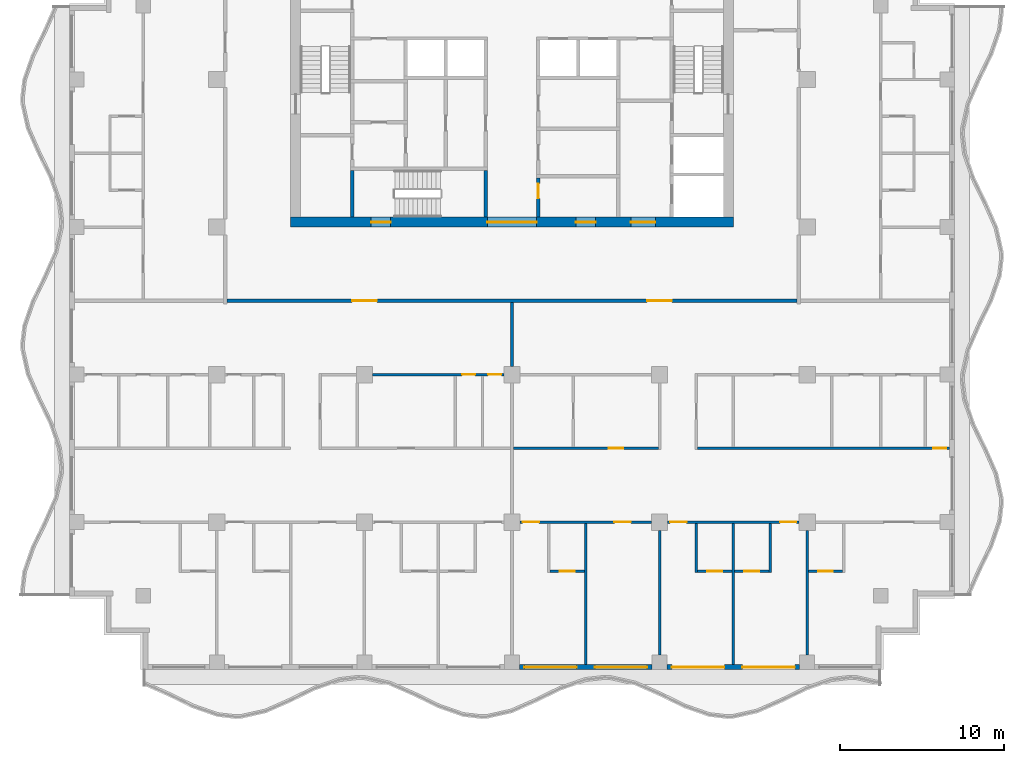
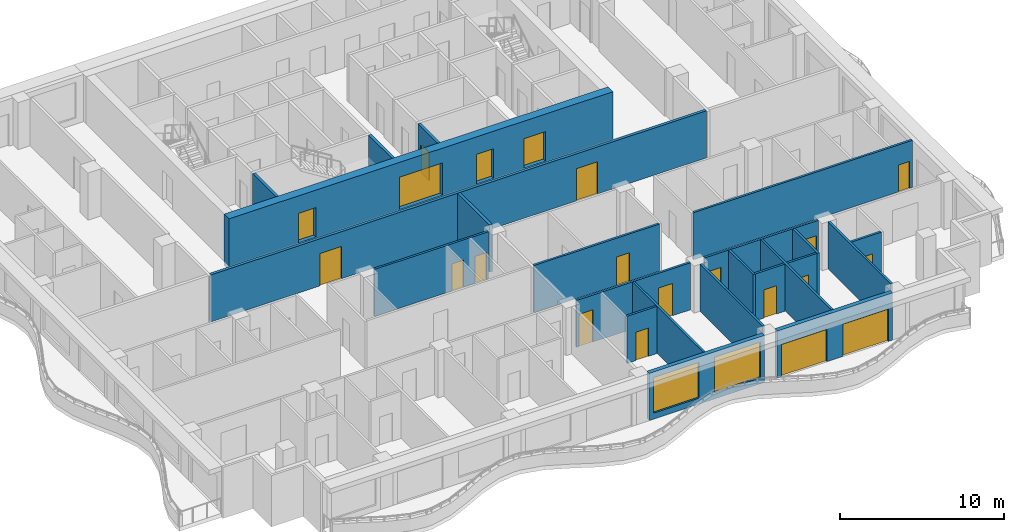
# One storey, part 3 of 11: 23 walls, 21 doors, 2 windows, 23 openings.
"""IFC4 building model written with IfcOpenShell, lengths in metres."""

import ifcopenshell
import ifcopenshell.guid

model = None  # the IFC model being written
_history = None  # IfcOwnerHistory: only IFC2X3 demands one
_inside = {}  # id of a spatial element -> (the spatial element, [elements in it])
_under = {}  # id of a project, library or spatial element -> (it, [spatial elements below it])
_declared = {}  # id of a project -> (the project, [libraries it declares])
_typed = {}  # id of a type object -> (the type object, [elements of that type])
_made_of = {}  # id of a material, layer set ... -> (it, [elements and type objects made of it])


def new_model(schema):
    """Start an empty IFC model of exactly this schema.

    Asked for "IFC4X3", IfcOpenShell would pick the latest addendum, in which some entities
    have other attributes; the version numbers below select the first issue.
    IFC2X3 requires an IfcOwnerHistory on every rooted entity: one is made here for all.
    """
    global model, _history
    if schema == "IFC4X3":
        model = ifcopenshell.file(schema_version=(4, 3, 0, 0))
    else:
        model = ifcopenshell.file(schema=schema)
    _inside.clear()
    _under.clear()
    _declared.clear()
    _typed.clear()
    _made_of.clear()
    _history = None
    if model.schema == "IFC2X3":
        org = make("IfcOrganization", Name="unknown")
        user = make(
            "IfcPersonAndOrganization",
            ThePerson=make("IfcPerson", FamilyName="unknown"),
            TheOrganization=org,
        )
        app = make(
            "IfcApplication",
            ApplicationDeveloper=org,
            Version="unknown",
            ApplicationFullName="unknown",
            ApplicationIdentifier="unknown",
        )
        _history = make(
            "IfcOwnerHistory",
            OwningUser=user,
            OwningApplication=app,
            ChangeAction="ADDED",
            CreationDate=0,
        )
    return model


def make(cls, **values):
    """One entity of the class cls with the attributes given. An attribute that is None is left unset."""
    return model.create_entity(
        cls, **{name: value for name, value in values.items() if value is not None}
    )


def rooted(cls, **values):
    """An entity with a GlobalId (a new one), such as an element, a storey or a relation."""
    return make(cls, GlobalId=ifcopenshell.guid.new(), OwnerHistory=_history, **values)


def si_unit(unit_type, name, prefix=None):
    """IfcSIUnit, for example si_unit("LENGTHUNIT", "METRE", prefix="MILLI")."""
    return make("IfcSIUnit", UnitType=unit_type, Prefix=prefix, Name=name)


def assignment(units):
    """IfcUnitAssignment: the units of a project."""
    return None if units is None else make("IfcUnitAssignment", Units=units)


def point(xyz):
    """IfcCartesianPoint."""
    return None if xyz is None else make("IfcCartesianPoint", Coordinates=xyz)


def direction(xyz):
    """IfcDirection."""
    return None if xyz is None else make("IfcDirection", DirectionRatios=xyz)


def frame(location, z_axis=None, x_axis=None):
    """IfcAxis2Placement3D, a coordinate frame: its origin and axes. An axis left out is left unset."""
    return make(
        "IfcAxis2Placement3D",
        Location=point(location),
        Axis=direction(z_axis),
        RefDirection=direction(x_axis),
    )


def frame_2d(location, x_axis=None):
    """IfcAxis2Placement2D, a coordinate frame in the plane: its origin and x axis."""
    return make(
        "IfcAxis2Placement2D", Location=point(location), RefDirection=direction(x_axis)
    )


def origin():
    """The frame at (0, 0, 0) with its axes left unset."""
    return frame((0.0, 0.0, 0.0))


def place(relative_to, where):
    """IfcLocalPlacement: puts the frame where relative to a parent placement (None: the world)."""
    return make(
        "IfcLocalPlacement", PlacementRelTo=relative_to, RelativePlacement=where
    )


def context(
    kind, dimensions, precision=None, world=None, true_north=None, identifier=None
):
    """IfcGeometricRepresentationContext, for example the 3D "Model" context."""
    return make(
        "IfcGeometricRepresentationContext",
        ContextIdentifier=identifier,
        ContextType=kind,
        CoordinateSpaceDimension=dimensions,
        Precision=precision,
        WorldCoordinateSystem=world,
        TrueNorth=true_north,
    )


def subcontext(parent, identifier, kind, view, scale=None):
    """IfcGeometricRepresentationSubContext, for example "Body" below "Model"."""
    return make(
        "IfcGeometricRepresentationSubContext",
        ContextIdentifier=identifier,
        ContextType=kind,
        ParentContext=parent,
        TargetScale=scale,
        TargetView=view,
    )


def project(units=None, contexts=None):
    """IfcProject with its units and contexts."""
    return rooted(
        "IfcProject",
        Name="project",
        RepresentationContexts=contexts,
        UnitsInContext=assignment(units),
    )


def spatial(cls, under=None, at=None, **own):
    """A site, building, storey or space (cls), placed at a placement, below another one or the project."""
    s = rooted(cls, ObjectPlacement=at, **own)
    if under is not None:
        _under.setdefault(under.id(), (under, []))[1].append(s)
    return s


def profile(cls, at=None, kind="AREA", **sizes):
    """A parametric profile (cls). Its sizes go by their IFC names, for example OverallWidth=200.0."""
    return make(cls, ProfileType=kind, Position=at, **sizes)


def rectangle(**sizes):
    """IfcRectangleProfileDef."""
    return profile("IfcRectangleProfileDef", **sizes)


def extrude(swept, where, along, depth):
    """IfcExtrudedAreaSolid: the profile swept, set in the frame where, extruded along a direction by depth."""
    return make(
        "IfcExtrudedAreaSolid",
        SweptArea=swept,
        Position=where,
        ExtrudedDirection=direction(along),
        Depth=depth,
    )


def shape(context_of_items, identifier, shape_type, items):
    """IfcShapeRepresentation: the items that make up one representation, for example the "Body"."""
    return make(
        "IfcShapeRepresentation",
        ContextOfItems=context_of_items,
        RepresentationIdentifier=identifier,
        RepresentationType=shape_type,
        Items=items,
    )


def material(Name=None, Category=None):
    """IfcMaterial."""
    return make("IfcMaterial", Name=Name, Category=Category)


def layer(
    of_material, thickness, ventilated=None, Name=None, Category=None, Priority=None
):
    """IfcMaterialLayer: one layer of a wall or slab, of a material (None: an air gap)."""
    return make(
        "IfcMaterialLayer",
        Material=of_material,
        LayerThickness=thickness,
        IsVentilated=ventilated,
        Name=Name,
        Category=Category,
        Priority=Priority,
    )


def layer_set(layers, Name=None):
    """IfcMaterialLayerSet."""
    return make("IfcMaterialLayerSet", MaterialLayers=layers, LayerSetName=Name)


def made_of(thing, what):
    """Note that an element or type object is made of a material, layer set ...; save() writes the relation."""
    if what is not None:
        _made_of.setdefault(what.id(), (what, []))[1].append(thing)
    return thing


def type_object(cls, material=None, **own):
    """A type object (cls), such as IfcWallType, which elements share."""
    return made_of(rooted(cls, **own), material)


def element(
    cls,
    number,
    at=None,
    inside=None,
    cuts=None,
    type_object=None,
    material=None,
    context=None,
    identifier="Body",
    shape_type=None,
    held_by="IfcProductDefinitionShape",
    body=None,
    shapes=None,
    **own,
):
    """One element of the class cls, such as IfcWall. Its Tag is "e" and its number.

    at: its placement. inside: the storey or other place that contains it. cuts: it is an
    opening in that element (IfcRelVoidsElement). A single representation is given by context,
    identifier, shape_type and body (its items); several are given by shapes. held_by: the class
    of the entity that holds the representations. save() writes the other relations.
    """
    e = rooted(cls, Tag="e%d" % number, ObjectPlacement=at, **own)
    if body is not None:
        shapes = [shape(context, identifier, shape_type, body)]
    if shapes is not None:
        e.Representation = make(held_by, Representations=shapes)
    if inside is not None:
        _inside.setdefault(inside.id(), (inside, []))[1].append(e)
    if cuts is not None:
        rooted(
            "IfcRelVoidsElement", RelatingBuildingElement=cuts, RelatedOpeningElement=e
        )
    if type_object is not None:
        _typed.setdefault(type_object.id(), (type_object, []))[1].append(e)
    return made_of(e, material)


def fill(opening, filler):
    """IfcRelFillsElement: the door or window that sits in an opening."""
    return rooted(
        "IfcRelFillsElement",
        RelatingOpeningElement=opening,
        RelatedBuildingElement=filler,
    )


def aggregate(whole, parts):
    """IfcRelAggregates: a whole, such as a stair, and the parts it consists of."""
    return rooted("IfcRelAggregates", RelatingObject=whole, RelatedObjects=parts)


def save(model, path):
    """Write the relations noted so far, then the file.

    IfcRelAggregates (storeys below a building ...), IfcRelContainedInSpatialStructure (elements
    in a storey), IfcRelDefinesByType, IfcRelAssociatesMaterial and IfcRelDeclares: one each for
    every whole, place, type object, material and project.
    """
    for whole, parts in _under.values():
        aggregate(whole, parts)
    for where, things in _inside.values():
        rooted(
            "IfcRelContainedInSpatialStructure",
            RelatedElements=things,
            RelatingStructure=where,
        )
    for kind, things in _typed.values():
        rooted("IfcRelDefinesByType", RelatedObjects=things, RelatingType=kind)
    for what, things in _made_of.values():
        rooted("IfcRelAssociatesMaterial", RelatedObjects=things, RelatingMaterial=what)
    for by, libraries in _declared.values():
        rooted("IfcRelDeclares", RelatingContext=by, RelatedDefinitions=libraries)
    model.write(path)


model = new_model("IFC4")

# Units and contexts
model_context = context("Model", 3, precision=1e-05, world=origin(), true_north=direction((0.0, 1.0)))
body_context = subcontext(model_context, "Body", "Model", "MODEL_VIEW")
ifc_project = project(units=[si_unit("LENGTHUNIT", "METRE"), si_unit("AREAUNIT", "SQUARE_METRE"), si_unit("VOLUMEUNIT", "CUBIC_METRE"), si_unit("PLANEANGLEUNIT", "RADIAN"), si_unit("MASSUNIT", "GRAM", prefix="KILO")], contexts=[model_context])

# Site, building, storey
site_placement = place(None, origin())
site = spatial("IfcSite", under=ifc_project, at=site_placement, CompositionType="ELEMENT")
building_placement = place(site_placement, origin())
building = spatial("IfcBuilding", under=site, at=building_placement, Name="Orbiselva Terraces", CompositionType="ELEMENT")
storey_placement = place(building_placement, frame((0.0, 0.0, 238.8)))
storey = spatial("IfcBuildingStorey", under=building, at=storey_placement, Name="L60", CompositionType="ELEMENT", Elevation=238.8)

# Wall, openings, doors
ifc_material_1 = material(Name="Concrete C80/95", Category="concrete")
ifc_layer_1 = layer(ifc_material_1, 0.6)
ifc_layer_set_1 = layer_set([ifc_layer_1], Name="Concrete C80/95")
wall_type_1 = type_object("IfcWallType", Name="CORE WALL 600", PredefinedType="SHEAR", material=ifc_layer_set_1)
wall_1_placement = place(storey_placement, frame((-13.5, 4.8, -0.3), z_axis=(0.0, 0.0, 1.0), x_axis=(1.0, 0.0, 0.0)))
wall_1 = element("IfcWall", 1, at=wall_1_placement, inside=storey, type_object=wall_type_1, Name="Core wall L60 south", PredefinedType="SHEAR", context=body_context, shape_type="SweptSolid", body=[
    extrude(rectangle(XDim=27.0, YDim=0.6, at=frame_2d((13.5, 0.0))), origin(), (0.0, 0.0, 1.0), 3.8),
])
opening_1_placement = place(wall_1_placement, frame((12.0, 0.0, 0.3)))
opening_1 = element("IfcOpeningElement", 2, at=opening_1_placement, cuts=wall_1, Name="Opening DL3000", PredefinedType="OPENING", context=body_context, shape_type="SweptSolid", body=[
    extrude(rectangle(XDim=3.0, YDim=2.4, at=frame_2d((1.5, 1.2))), frame((0.0, 0.31, 0.0), z_axis=(0.0, -1.0, 0.0), x_axis=(1.0, 0.0, 0.0)), (0.0, 0.0, 1.0), 0.62),
])
opening_2_placement = place(wall_1_placement, frame((4.9, 0.0, 0.3)))
opening_2 = element("IfcOpeningElement", 3, at=opening_2_placement, cuts=wall_1, Name="Opening DS1200", PredefinedType="OPENING", context=body_context, shape_type="SweptSolid", body=[
    extrude(rectangle(XDim=1.2, YDim=2.2, at=frame_2d((0.6, 1.1))), frame((0.0, 0.31, 0.0), z_axis=(0.0, -1.0, 0.0), x_axis=(1.0, 0.0, 0.0)), (0.0, 0.0, 1.0), 0.62),
])
opening_3_placement = place(wall_1_placement, frame((20.75, 0.0, 0.3)))
opening_3 = element("IfcOpeningElement", 4, at=opening_3_placement, cuts=wall_1, Name="Opening DF1500", PredefinedType="OPENING", context=body_context, shape_type="SweptSolid", body=[
    extrude(rectangle(XDim=1.5, YDim=2.2, at=frame_2d((0.75, 1.1))), frame((0.0, 0.31, 0.0), z_axis=(0.0, -1.0, 0.0), x_axis=(1.0, 0.0, 0.0)), (0.0, 0.0, 1.0), 0.62),
])
opening_4_placement = place(wall_1_placement, frame((17.4, 0.0, 0.3)))
opening_4 = element("IfcOpeningElement", 5, at=opening_4_placement, cuts=wall_1, Name="Opening DV1200", PredefinedType="OPENING", context=body_context, shape_type="SweptSolid", body=[
    extrude(rectangle(XDim=1.2, YDim=2.2, at=frame_2d((0.6, 1.1))), frame((0.0, 0.31, 0.0), z_axis=(0.0, -1.0, 0.0), x_axis=(1.0, 0.0, 0.0)), (0.0, 0.0, 1.0), 0.62),
])
ifc_material_2 = material(Name="Steel fire door", Category="steel")
door_type_1 = type_object("IfcDoorType", Name="FFL DOOR 1500", OperationType="DOUBLE_DOOR_SINGLE_SWING", PredefinedType="DOOR", material=ifc_material_2)
door_1_placement = place(opening_3_placement, frame((1.5, 0.0, 0.0), z_axis=(0.0, 0.0, 1.0), x_axis=(-1.0, 0.0, 0.0)))
door_1 = element("IfcDoor", 6, at=door_1_placement, inside=storey, type_object=door_type_1, Name="L60 FIRE-FIGHTING LOBBY door", OperationType="DOUBLE_DOOR_SINGLE_SWING", OverallHeight=2.2, OverallWidth=1.5, PredefinedType="DOOR", context=body_context, shape_type="SweptSolid", body=[
    extrude(rectangle(XDim=1.5, YDim=2.2, at=frame_2d((0.75, 1.1))), frame((0.0, 0.025, 0.0), z_axis=(0.0, -1.0, 0.0), x_axis=(1.0, 0.0, 0.0)), (0.0, 0.0, 1.0), 0.05),
])
fill(opening_3, door_1)
door_type_2 = type_object("IfcDoorType", Name="LOBBY DOOR 3000", OperationType="DOUBLE_DOOR_SINGLE_SWING", PredefinedType="DOOR", material=ifc_material_2)
door_2_placement = place(opening_1_placement, frame((3.0, 0.0, 0.0), z_axis=(0.0, 0.0, 1.0), x_axis=(-1.0, 0.0, 0.0)))
door_2 = element("IfcDoor", 7, at=door_2_placement, inside=storey, type_object=door_type_2, Name="L60 LIFT LOBBY door", OperationType="DOUBLE_DOOR_SINGLE_SWING", OverallHeight=2.4, OverallWidth=3.0, PredefinedType="DOOR", context=body_context, shape_type="SweptSolid", body=[
    extrude(rectangle(XDim=3.0, YDim=2.4, at=frame_2d((1.5, 1.2))), frame((0.0, 0.025, 0.0), z_axis=(0.0, -1.0, 0.0), x_axis=(1.0, 0.0, 0.0)), (0.0, 0.0, 1.0), 0.05),
])
fill(opening_1, door_2)
door_type_3 = type_object("IfcDoorType", Name="SERVICE DOOR 1200", OperationType="NOTDEFINED", PredefinedType="DOOR", material=ifc_material_2)
door_3_placement = place(opening_4_placement, frame((1.2, 0.0, 0.0), z_axis=(0.0, 0.0, 1.0), x_axis=(-1.0, 0.0, 0.0)))
door_3 = element("IfcDoor", 8, at=door_3_placement, inside=storey, type_object=door_type_3, Name="L60 ELECTRICAL RISER ROOM door", OperationType="SINGLE_SWING_RIGHT", OverallHeight=2.2, OverallWidth=1.2, PredefinedType="DOOR", context=body_context, shape_type="SweptSolid", body=[
    extrude(rectangle(XDim=1.2, YDim=2.2, at=frame_2d((0.6, 1.1))), frame((0.0, 0.025, 0.0), z_axis=(0.0, -1.0, 0.0), x_axis=(1.0, 0.0, 0.0)), (0.0, 0.0, 1.0), 0.05),
])
fill(opening_4, door_3)
door_type_4 = type_object("IfcDoorType", Name="STAIR DOOR 1200", OperationType="NOTDEFINED", PredefinedType="DOOR", material=ifc_material_2)
door_4_placement = place(opening_2_placement, frame((1.2, 0.0, 0.0), z_axis=(0.0, 0.0, 1.0), x_axis=(-1.0, 0.0, 0.0)))
door_4 = element("IfcDoor", 9, at=door_4_placement, inside=storey, type_object=door_type_4, Name="L60 EXIT STAIR S3 door", OperationType="SINGLE_SWING_LEFT", OverallHeight=2.2, OverallWidth=1.2, PredefinedType="DOOR", context=body_context, shape_type="SweptSolid", body=[
    extrude(rectangle(XDim=1.2, YDim=2.2, at=frame_2d((0.6, 1.1))), frame((0.0, 0.025, 0.0), z_axis=(0.0, -1.0, 0.0), x_axis=(1.0, 0.0, 0.0)), (0.0, 0.0, 1.0), 0.05),
])
fill(opening_2, door_4)

# Wall, opening, door
ifc_material_3 = material(Name="Masonry blockwork", Category="masonry")
ifc_layer_2 = layer(ifc_material_3, 0.2)
ifc_layer_set_2 = layer_set([ifc_layer_2], Name="Masonry blockwork")
wall_type_2 = type_object("IfcWallType", Name="CORE-WALL-PARTITION-200", PredefinedType="PARTITIONING", material=ifc_layer_set_2)
wall_2_placement = place(storey_placement, frame((1.6, 7.5, 0.0), z_axis=(0.0, 0.0, 1.0), x_axis=(0.0, -1.0, 0.0)))
wall_2 = element("IfcWall", 10, at=wall_2_placement, inside=storey, type_object=wall_type_2, Name="L60 core wall 27", PredefinedType="PARTITIONING", context=body_context, shape_type="SweptSolid", body=[
    extrude(rectangle(XDim=2.4, YDim=0.2, at=frame_2d((1.2, 0.0))), origin(), (0.0, 0.0, 1.0), 3.5),
])
opening_5_placement = place(wall_2_placement, frame((0.35, 0.0, 0.0)))
opening_5 = element("IfcOpeningElement", 11, at=opening_5_placement, cuts=wall_2, Name="Opening DR900", PredefinedType="OPENING", context=body_context, shape_type="SweptSolid", body=[
    extrude(rectangle(XDim=0.9, YDim=2.1, at=frame_2d((0.45, 1.05))), frame((0.0, 0.11, 0.0), z_axis=(0.0, -1.0, 0.0), x_axis=(1.0, 0.0, 0.0)), (0.0, 0.0, 1.0), 0.22),
])
door_type_5 = type_object("IfcDoorType", Name="ROOM DOOR 900", OperationType="NOTDEFINED", PredefinedType="DOOR", material=ifc_material_2)
door_5_placement = place(opening_5_placement, origin())
door_5 = element("IfcDoor", 12, at=door_5_placement, inside=storey, type_object=door_type_5, Name="L60 ELECTRICAL RISER ROOM door", OperationType="SINGLE_SWING_LEFT", OverallHeight=2.1, OverallWidth=0.9, PredefinedType="DOOR", context=body_context, shape_type="SweptSolid", body=[
    extrude(rectangle(XDim=0.9, YDim=2.1, at=frame_2d((0.45, 1.05))), frame((0.0, 0.025, 0.0), z_axis=(0.0, -1.0, 0.0), x_axis=(1.0, 0.0, 0.0)), (0.0, 0.0, 1.0), 0.05),
])
fill(opening_5, door_5)

# Walls
ifc_material_4 = material(Name="Concrete C60/75", Category="concrete")
ifc_layer_3 = layer(ifc_material_4, 0.2)
ifc_layer_set_3 = layer_set([ifc_layer_3], Name="Concrete C60/75")
wall_type_3 = type_object("IfcWallType", Name="CORE-WALL-SHEAR-200", PredefinedType="SHEAR", material=ifc_layer_set_3)
for number, where, z_axis, x_axis, name in (
    (13, (-9.75, 5.1, 0.0), (0.0, 0.0, 1.0), (0.0, 1.0, 0.0), "L60 core wall 03"),
    (14, (-1.6, 5.1, 0.0), (0.0, 0.0, 1.0), (0.0, 1.0, 0.0), "L60 core wall 23"),
):
    element("IfcWall", number, at=place(storey_placement, frame(where, z_axis=z_axis, x_axis=x_axis)), inside=storey, type_object=wall_type_3, Name=name, PredefinedType="SHEAR", context=body_context, shape_type="SweptSolid", body=[
        extrude(rectangle(XDim=2.85, YDim=0.2, at=frame_2d((1.425, 0.0))), origin(), (0.0, 0.0, 1.0), 3.5),
    ])

# Wall, openings, windows
ifc_material_5 = material(Name="Terracotta cladding on masonry backing", Category="masonry")
ifc_layer_4 = layer(ifc_material_5, 0.3)
ifc_layer_set_4 = layer_set([ifc_layer_4], Name="Terracotta cladding on masonry backing")
wall_type_4 = type_object("IfcWallType", Name="ENV-WALL-TERRACOTTA-300", PredefinedType="SOLIDWALL", material=ifc_layer_set_4)
wall_3_placement = place(storey_placement, frame((8.55, -22.35, 0.0), z_axis=(0.0, 0.0, 1.0), x_axis=(-1.0, 0.0, 0.0)))
wall_3 = element("IfcWall", 15, at=wall_3_placement, inside=storey, type_object=wall_type_4, Name="Facade wall L60 S", PredefinedType="SOLIDWALL", context=body_context, shape_type="SweptSolid", body=[
    extrude(rectangle(XDim=8.1, YDim=0.3, at=frame_2d((4.05, 0.0))), origin(), (0.0, 0.0, 1.0), 3.5),
])
opening_6_placement = place(wall_3_placement, frame((4.6, 0.0, 0.45)))
opening_6 = element("IfcOpeningElement", 16, at=opening_6_placement, cuts=wall_3, Name="Opening WN17", PredefinedType="OPENING", context=body_context, shape_type="SweptSolid", body=[
    extrude(rectangle(XDim=3.2, YDim=2.65, at=frame_2d((1.6, 1.325))), frame((0.0, 0.16, 0.0), z_axis=(0.0, -1.0, 0.0), x_axis=(1.0, 0.0, 0.0)), (0.0, 0.0, 1.0), 0.32),
])
opening_7_placement = place(wall_3_placement, frame((0.3, 0.0, 0.45)))
opening_7 = element("IfcOpeningElement", 17, at=opening_7_placement, cuts=wall_3, Name="Opening WN17", PredefinedType="OPENING", context=body_context, shape_type="SweptSolid", body=[
    extrude(rectangle(XDim=3.2, YDim=2.65, at=frame_2d((1.6, 1.325))), frame((0.0, 0.16, 0.0), z_axis=(0.0, -1.0, 0.0), x_axis=(1.0, 0.0, 0.0)), (0.0, 0.0, 1.0), 0.32),
])
ifc_material_6 = material(Name="Clear low-e glazing in aluminium frame", Category="aluminium")
window_type = type_object("IfcWindowType", Name="WINDOW 3200 X 2650 S450", PartitioningType="TRIPLE_PANEL_VERTICAL", PredefinedType="WINDOW", material=ifc_material_6)
window_1_placement = place(opening_6_placement, origin())
window_1 = element("IfcWindow", 18, at=window_1_placement, inside=storey, type_object=window_type, Name="Window L60 S", OverallHeight=2.65, OverallWidth=3.2, PartitioningType="SINGLE_PANEL", PredefinedType="WINDOW", context=body_context, shape_type="SweptSolid", body=[
    extrude(rectangle(XDim=3.2, YDim=2.65, at=frame_2d((1.6, 1.325))), frame((0.0, 0.03, 0.0), z_axis=(0.0, -1.0, 0.0), x_axis=(1.0, 0.0, 0.0)), (0.0, 0.0, 1.0), 0.06),
])
fill(opening_6, window_1)
window_2_placement = place(opening_7_placement, origin())
window_2 = element("IfcWindow", 19, at=window_2_placement, inside=storey, type_object=window_type, Name="Window L60 S", OverallHeight=2.65, OverallWidth=3.2, PartitioningType="SINGLE_PANEL", PredefinedType="WINDOW", context=body_context, shape_type="SweptSolid", body=[
    extrude(rectangle(XDim=3.2, YDim=2.65, at=frame_2d((1.6, 1.325))), frame((0.0, 0.03, 0.0), z_axis=(0.0, -1.0, 0.0), x_axis=(1.0, 0.0, 0.0)), (0.0, 0.0, 1.0), 0.06),
])
fill(opening_7, window_2)

# Wall, openings, doors
wall_4_placement = place(storey_placement, frame((17.55, -22.35, 0.0), z_axis=(0.0, 0.0, 1.0), x_axis=(-1.0, 0.0, 0.0)))
wall_4 = element("IfcWall", 20, at=wall_4_placement, inside=storey, type_object=wall_type_4, Name="Facade wall L60 S", PredefinedType="SOLIDWALL", context=body_context, shape_type="SweptSolid", body=[
    extrude(rectangle(XDim=8.1, YDim=0.3, at=frame_2d((4.05, 0.0))), origin(), (0.0, 0.0, 1.0), 3.5),
])
opening_8_placement = place(wall_4_placement, frame((4.6, 0.0, 0.0)))
opening_8 = element("IfcOpeningElement", 21, at=opening_8_placement, cuts=wall_4, Name="Opening Z5-A-E03", PredefinedType="OPENING", context=body_context, shape_type="SweptSolid", body=[
    extrude(rectangle(XDim=3.2, YDim=2.4, at=frame_2d((1.6, 1.2))), frame((0.0, 0.16, 0.0), z_axis=(0.0, -1.0, 0.0), x_axis=(1.0, 0.0, 0.0)), (0.0, 0.0, 1.0), 0.32),
])
opening_9_placement = place(wall_4_placement, frame((0.3, 0.0, 0.0)))
opening_9 = element("IfcOpeningElement", 22, at=opening_9_placement, cuts=wall_4, Name="Opening Z5-A-E04", PredefinedType="OPENING", context=body_context, shape_type="SweptSolid", body=[
    extrude(rectangle(XDim=3.2, YDim=2.4, at=frame_2d((1.6, 1.2))), frame((0.0, 0.16, 0.0), z_axis=(0.0, -1.0, 0.0), x_axis=(1.0, 0.0, 0.0)), (0.0, 0.0, 1.0), 0.32),
])
door_type_6 = type_object("IfcDoorType", Name="BALCONY DOOR 3200 X 2400", OperationType="DOUBLE_DOOR_SLIDING", PredefinedType="DOOR", material=ifc_material_6)
door_6_placement = place(opening_8_placement, origin())
door_6 = element("IfcDoor", 23, at=door_6_placement, inside=storey, type_object=door_type_6, Name="Z5-A-E03", OperationType="SINGLE_SWING_LEFT", OverallHeight=2.4, OverallWidth=3.2, PredefinedType="DOOR", context=body_context, shape_type="SweptSolid", body=[
    extrude(rectangle(XDim=3.2, YDim=2.4, at=frame_2d((1.6, 1.2))), frame((0.0, 0.025, 0.0), z_axis=(0.0, -1.0, 0.0), x_axis=(1.0, 0.0, 0.0)), (0.0, 0.0, 1.0), 0.05),
])
fill(opening_8, door_6)
door_7_placement = place(opening_9_placement, origin())
door_7 = element("IfcDoor", 24, at=door_7_placement, inside=storey, type_object=door_type_6, Name="Z5-A-E04", OperationType="SINGLE_SWING_LEFT", OverallHeight=2.4, OverallWidth=3.2, PredefinedType="DOOR", context=body_context, shape_type="SweptSolid", body=[
    extrude(rectangle(XDim=3.2, YDim=2.4, at=frame_2d((1.6, 1.2))), frame((0.0, 0.025, 0.0), z_axis=(0.0, -1.0, 0.0), x_axis=(1.0, 0.0, 0.0)), (0.0, 0.0, 1.0), 0.05),
])
fill(opening_9, door_7)

ifc_material_7 = material(Name="Plasterboard on steel stud partition", Category="steel")
ifc_layer_5 = layer(ifc_material_7, 0.2)
ifc_layer_set_5 = layer_set([ifc_layer_5], Name="Plasterboard on steel stud partition")
wall_type_5 = type_object("IfcWallType", Name="UNIT-ENTRANCE-WALL-200", PredefinedType="PARTITIONING", material=ifc_layer_set_5)
wall_5_placement = place(storey_placement, frame((17.4, 0.0, 0.0), z_axis=(0.0, 0.0, 1.0), x_axis=(-1.0, 0.0, 0.0)))
wall_5 = element("IfcWall", 25, at=wall_5_placement, inside=storey, type_object=wall_type_5, Name="PARTITION L60-026", PredefinedType="PARTITIONING", context=body_context, shape_type="SweptSolid", body=[
    extrude(rectangle(XDim=34.8, YDim=0.2, at=frame_2d((17.4, 0.0))), origin(), (0.0, 0.0, 1.0), 3.5),
])
opening_10_placement = place(wall_5_placement, frame((25.65, 0.0, 0.0)))
opening_10 = element("IfcOpeningElement", 26, at=opening_10_placement, cuts=wall_5, Name="Opening Z5-A-16", PredefinedType="OPENING", context=body_context, shape_type="SweptSolid", body=[
    extrude(rectangle(XDim=1.5, YDim=2.4, at=frame_2d((0.75, 1.2))), frame((0.0, 0.11, 0.0), z_axis=(0.0, -1.0, 0.0), x_axis=(1.0, 0.0, 0.0)), (0.0, 0.0, 1.0), 0.22),
])
opening_11_placement = place(wall_5_placement, frame((7.65, 0.0, 0.0)))
opening_11 = element("IfcOpeningElement", 27, at=opening_11_placement, cuts=wall_5, Name="Opening Z5-A-35", PredefinedType="OPENING", context=body_context, shape_type="SweptSolid", body=[
    extrude(rectangle(XDim=1.5, YDim=2.4, at=frame_2d((0.75, 1.2))), frame((0.0, 0.11, 0.0), z_axis=(0.0, -1.0, 0.0), x_axis=(1.0, 0.0, 0.0)), (0.0, 0.0, 1.0), 0.22),
])
ifc_material_8 = material(Name="Painted timber door leaf", Category="wood")
door_type_7 = type_object("IfcDoorType", Name="ENTRANCE DOUBLE DOOR 1500", OperationType="NOTDEFINED", PredefinedType="DOOR", material=ifc_material_8)
door_8_placement = place(opening_10_placement, origin())
door_8 = element("IfcDoor", 28, at=door_8_placement, inside=storey, type_object=door_type_7, Name="Z5-A-16", OperationType="DOUBLE_DOOR_SINGLE_SWING", OverallHeight=2.4, OverallWidth=1.5, PredefinedType="DOOR", context=body_context, shape_type="SweptSolid", body=[
    extrude(rectangle(XDim=1.5, YDim=2.4, at=frame_2d((0.75, 1.2))), frame((0.0, 0.025, 0.0), z_axis=(0.0, -1.0, 0.0), x_axis=(1.0, 0.0, 0.0)), (0.0, 0.0, 1.0), 0.05),
])
fill(opening_10, door_8)
door_9_placement = place(opening_11_placement, origin())
door_9 = element("IfcDoor", 29, at=door_9_placement, inside=storey, type_object=door_type_7, Name="Z5-A-35", OperationType="DOUBLE_DOOR_SINGLE_SWING", OverallHeight=2.4, OverallWidth=1.5, PredefinedType="DOOR", context=body_context, shape_type="SweptSolid", body=[
    extrude(rectangle(XDim=1.5, YDim=2.4, at=frame_2d((0.75, 1.2))), frame((0.0, 0.025, 0.0), z_axis=(0.0, -1.0, 0.0), x_axis=(1.0, 0.0, 0.0)), (0.0, 0.0, 1.0), 0.05),
])
fill(opening_11, door_9)

# Wall, opening, door
ifc_layer_6 = layer(ifc_material_7, 0.15)
ifc_layer_set_6 = layer_set([ifc_layer_6], Name="Plasterboard on steel stud partition")
wall_type_6 = type_object("IfcWallType", Name="UNIT-PARTITION-150", PredefinedType="PARTITIONING", material=ifc_layer_set_6)
wall_6_placement = place(storey_placement, frame((2.325, -16.5, 0.0), z_axis=(0.0, 0.0, 1.0), x_axis=(1.0, 0.0, 0.0)))
wall_6 = element("IfcWall", 30, at=wall_6_placement, inside=storey, type_object=wall_type_6, Name="PARTITION L60-005", PredefinedType="PARTITIONING", context=body_context, shape_type="SweptSolid", body=[
    extrude(rectangle(XDim=2.1, YDim=0.15, at=frame_2d((1.05, 0.0))), origin(), (0.0, 0.0, 1.0), 3.5),
])
opening_12_placement = place(wall_6_placement, frame((0.6, 0.0, 0.0)))
opening_12 = element("IfcOpeningElement", 31, at=opening_12_placement, cuts=wall_6, Name="Opening Z5-A-51", PredefinedType="OPENING", context=body_context, shape_type="SweptSolid", body=[
    extrude(rectangle(XDim=0.9, YDim=2.1, at=frame_2d((0.45, 1.05))), frame((0.0, 0.085, 0.0), z_axis=(0.0, -1.0, 0.0), x_axis=(1.0, 0.0, 0.0)), (0.0, 0.0, 1.0), 0.17),
])
door_type_8 = type_object("IfcDoorType", Name="BATH DOOR 900", OperationType="NOTDEFINED", PredefinedType="DOOR", material=ifc_material_8)
door_10_placement = place(opening_12_placement, origin())
door_10 = element("IfcDoor", 32, at=door_10_placement, inside=storey, type_object=door_type_8, Name="Z5-A-51", OperationType="SINGLE_SWING_RIGHT", OverallHeight=2.1, OverallWidth=0.9, PredefinedType="DOOR", context=body_context, shape_type="SweptSolid", body=[
    extrude(rectangle(XDim=0.9, YDim=2.1, at=frame_2d((0.45, 1.05))), frame((0.0, 0.025, 0.0), z_axis=(0.0, -1.0, 0.0), x_axis=(1.0, 0.0, 0.0)), (0.0, 0.0, 1.0), 0.05),
])
fill(opening_12, door_10)

wall_7_placement = place(storey_placement, frame((11.325, -16.5, 0.0), z_axis=(0.0, 0.0, 1.0), x_axis=(1.0, 0.0, 0.0)))
wall_7 = element("IfcWall", 33, at=wall_7_placement, inside=storey, type_object=wall_type_6, Name="PARTITION L60-006", PredefinedType="PARTITIONING", context=body_context, shape_type="SweptSolid", body=[
    extrude(rectangle(XDim=2.1, YDim=0.15, at=frame_2d((1.05, 0.0))), origin(), (0.0, 0.0, 1.0), 3.5),
])
opening_13_placement = place(wall_7_placement, frame((0.6, 0.0, 0.0)))
opening_13 = element("IfcOpeningElement", 34, at=opening_13_placement, cuts=wall_7, Name="Opening Z5-A-48", PredefinedType="OPENING", context=body_context, shape_type="SweptSolid", body=[
    extrude(rectangle(XDim=0.9, YDim=2.1, at=frame_2d((0.45, 1.05))), frame((0.0, 0.085, 0.0), z_axis=(0.0, -1.0, 0.0), x_axis=(1.0, 0.0, 0.0)), (0.0, 0.0, 1.0), 0.17),
])
door_11_placement = place(opening_13_placement, origin())
door_11 = element("IfcDoor", 35, at=door_11_placement, inside=storey, type_object=door_type_8, Name="Z5-A-48", OperationType="SINGLE_SWING_LEFT", OverallHeight=2.1, OverallWidth=0.9, PredefinedType="DOOR", context=body_context, shape_type="SweptSolid", body=[
    extrude(rectangle(XDim=0.9, YDim=2.1, at=frame_2d((0.45, 1.05))), frame((0.0, 0.025, 0.0), z_axis=(0.0, -1.0, 0.0), x_axis=(1.0, 0.0, 0.0)), (0.0, 0.0, 1.0), 0.05),
])
fill(opening_13, door_11)

wall_8_placement = place(storey_placement, frame((13.575, -16.5, 0.0), z_axis=(0.0, 0.0, 1.0), x_axis=(1.0, 0.0, 0.0)))
wall_8 = element("IfcWall", 36, at=wall_8_placement, inside=storey, type_object=wall_type_6, Name="PARTITION L60-007", PredefinedType="PARTITIONING", context=body_context, shape_type="SweptSolid", body=[
    extrude(rectangle(XDim=2.1, YDim=0.15, at=frame_2d((1.05, 0.0))), origin(), (0.0, 0.0, 1.0), 3.5),
])
opening_14_placement = place(wall_8_placement, frame((0.6, 0.0, 0.0)))
opening_14 = element("IfcOpeningElement", 37, at=opening_14_placement, cuts=wall_8, Name="Opening Z5-A-46", PredefinedType="OPENING", context=body_context, shape_type="SweptSolid", body=[
    extrude(rectangle(XDim=0.9, YDim=2.1, at=frame_2d((0.45, 1.05))), frame((0.0, 0.085, 0.0), z_axis=(0.0, -1.0, 0.0), x_axis=(1.0, 0.0, 0.0)), (0.0, 0.0, 1.0), 0.17),
])
door_12_placement = place(opening_14_placement, origin())
door_12 = element("IfcDoor", 38, at=door_12_placement, inside=storey, type_object=door_type_8, Name="Z5-A-46", OperationType="SINGLE_SWING_LEFT", OverallHeight=2.1, OverallWidth=0.9, PredefinedType="DOOR", context=body_context, shape_type="SweptSolid", body=[
    extrude(rectangle(XDim=0.9, YDim=2.1, at=frame_2d((0.45, 1.05))), frame((0.0, 0.025, 0.0), z_axis=(0.0, -1.0, 0.0), x_axis=(1.0, 0.0, 0.0)), (0.0, 0.0, 1.0), 0.05),
])
fill(opening_14, door_12)

wall_9_placement = place(storey_placement, frame((18.075, -16.5, 0.0), z_axis=(0.0, 0.0, 1.0), x_axis=(1.0, 0.0, 0.0)))
wall_9 = element("IfcWall", 39, at=wall_9_placement, inside=storey, type_object=wall_type_6, Name="PARTITION L60-008", PredefinedType="PARTITIONING", context=body_context, shape_type="SweptSolid", body=[
    extrude(rectangle(XDim=2.1, YDim=0.15, at=frame_2d((1.05, 0.0))), origin(), (0.0, 0.0, 1.0), 3.5),
])
opening_15_placement = place(wall_9_placement, frame((0.6, 0.0, 0.0)))
opening_15 = element("IfcOpeningElement", 40, at=opening_15_placement, cuts=wall_9, Name="Opening Z5-A-44", PredefinedType="OPENING", context=body_context, shape_type="SweptSolid", body=[
    extrude(rectangle(XDim=0.9, YDim=2.1, at=frame_2d((0.45, 1.05))), frame((0.0, 0.085, 0.0), z_axis=(0.0, -1.0, 0.0), x_axis=(1.0, 0.0, 0.0)), (0.0, 0.0, 1.0), 0.17),
])
door_13_placement = place(opening_15_placement, origin())
door_13 = element("IfcDoor", 41, at=door_13_placement, inside=storey, type_object=door_type_8, Name="Z5-A-44", OperationType="SINGLE_SWING_LEFT", OverallHeight=2.1, OverallWidth=0.9, PredefinedType="DOOR", context=body_context, shape_type="SweptSolid", body=[
    extrude(rectangle(XDim=0.9, YDim=2.1, at=frame_2d((0.45, 1.05))), frame((0.0, 0.025, 0.0), z_axis=(0.0, -1.0, 0.0), x_axis=(1.0, 0.0, 0.0)), (0.0, 0.0, 1.0), 0.05),
])
fill(opening_15, door_13)

# Wall, openings, doors
wall_10_placement = place(storey_placement, frame((8.5, -13.5, 0.0), z_axis=(0.0, 0.0, 1.0), x_axis=(-1.0, 0.0, 0.0)))
wall_10 = element("IfcWall", 42, at=wall_10_placement, inside=storey, type_object=wall_type_6, Name="PARTITION L60-012", PredefinedType="PARTITIONING", context=body_context, shape_type="SweptSolid", body=[
    extrude(rectangle(XDim=8.0, YDim=0.15, at=frame_2d((4.0, 0.0))), origin(), (0.0, 0.0, 1.0), 3.5),
])
opening_16_placement = place(wall_10_placement, frame((1.25, 0.0, 0.0)))
opening_16 = element("IfcOpeningElement", 43, at=opening_16_placement, cuts=wall_10, Name="Opening Z5-A-49", PredefinedType="OPENING", context=body_context, shape_type="SweptSolid", body=[
    extrude(rectangle(XDim=1.0, YDim=2.4, at=frame_2d((0.5, 1.2))), frame((0.0, 0.085, 0.0), z_axis=(0.0, -1.0, 0.0), x_axis=(1.0, 0.0, 0.0)), (0.0, 0.0, 1.0), 0.17),
])
opening_17_placement = place(wall_10_placement, frame((6.85, 0.0, 0.0)))
opening_17 = element("IfcOpeningElement", 44, at=opening_17_placement, cuts=wall_10, Name="Opening Z5-A-50", PredefinedType="OPENING", context=body_context, shape_type="SweptSolid", body=[
    extrude(rectangle(XDim=1.0, YDim=2.4, at=frame_2d((0.5, 1.2))), frame((0.0, 0.085, 0.0), z_axis=(0.0, -1.0, 0.0), x_axis=(1.0, 0.0, 0.0)), (0.0, 0.0, 1.0), 0.17),
])
door_type_9 = type_object("IfcDoorType", Name="ROOM DOOR 1000", OperationType="NOTDEFINED", PredefinedType="DOOR", material=ifc_material_8)
door_14_placement = place(opening_16_placement, origin())
door_14 = element("IfcDoor", 45, at=door_14_placement, inside=storey, type_object=door_type_9, Name="Z5-A-49", OperationType="SINGLE_SWING_LEFT", OverallHeight=2.4, OverallWidth=1.0, PredefinedType="DOOR", context=body_context, shape_type="SweptSolid", body=[
    extrude(rectangle(XDim=1.0, YDim=2.4, at=frame_2d((0.5, 1.2))), frame((0.0, 0.025, 0.0), z_axis=(0.0, -1.0, 0.0), x_axis=(1.0, 0.0, 0.0)), (0.0, 0.0, 1.0), 0.05),
])
fill(opening_16, door_14)
door_15_placement = place(opening_17_placement, origin())
door_15 = element("IfcDoor", 46, at=door_15_placement, inside=storey, type_object=door_type_9, Name="Z5-A-50", OperationType="SINGLE_SWING_RIGHT", OverallHeight=2.4, OverallWidth=1.0, PredefinedType="DOOR", context=body_context, shape_type="SweptSolid", body=[
    extrude(rectangle(XDim=1.0, YDim=2.4, at=frame_2d((0.5, 1.2))), frame((0.0, 0.025, 0.0), z_axis=(0.0, -1.0, 0.0), x_axis=(1.0, 0.0, 0.0)), (0.0, 0.0, 1.0), 0.05),
])
fill(opening_17, door_15)

wall_11_placement = place(storey_placement, frame((17.5, -13.5, 0.0), z_axis=(0.0, 0.0, 1.0), x_axis=(-1.0, 0.0, 0.0)))
wall_11 = element("IfcWall", 47, at=wall_11_placement, inside=storey, type_object=wall_type_6, Name="PARTITION L60-013", PredefinedType="PARTITIONING", context=body_context, shape_type="SweptSolid", body=[
    extrude(rectangle(XDim=8.0, YDim=0.15, at=frame_2d((4.0, 0.0))), origin(), (0.0, 0.0, 1.0), 3.5),
])
opening_18_placement = place(wall_11_placement, frame((0.15, 0.0, 0.0)))
opening_18 = element("IfcOpeningElement", 48, at=opening_18_placement, cuts=wall_11, Name="Opening Z5-A-45", PredefinedType="OPENING", context=body_context, shape_type="SweptSolid", body=[
    extrude(rectangle(XDim=1.0, YDim=2.4, at=frame_2d((0.5, 1.2))), frame((0.0, 0.085, 0.0), z_axis=(0.0, -1.0, 0.0), x_axis=(1.0, 0.0, 0.0)), (0.0, 0.0, 1.0), 0.17),
])
opening_19_placement = place(wall_11_placement, frame((6.85, 0.0, 0.0)))
opening_19 = element("IfcOpeningElement", 49, at=opening_19_placement, cuts=wall_11, Name="Opening Z5-A-47", PredefinedType="OPENING", context=body_context, shape_type="SweptSolid", body=[
    extrude(rectangle(XDim=1.0, YDim=2.4, at=frame_2d((0.5, 1.2))), frame((0.0, 0.085, 0.0), z_axis=(0.0, -1.0, 0.0), x_axis=(1.0, 0.0, 0.0)), (0.0, 0.0, 1.0), 0.17),
])
door_16_placement = place(opening_18_placement, origin())
door_16 = element("IfcDoor", 50, at=door_16_placement, inside=storey, type_object=door_type_9, Name="Z5-A-45", OperationType="SINGLE_SWING_LEFT", OverallHeight=2.4, OverallWidth=1.0, PredefinedType="DOOR", context=body_context, shape_type="SweptSolid", body=[
    extrude(rectangle(XDim=1.0, YDim=2.4, at=frame_2d((0.5, 1.2))), frame((0.0, 0.025, 0.0), z_axis=(0.0, -1.0, 0.0), x_axis=(1.0, 0.0, 0.0)), (0.0, 0.0, 1.0), 0.05),
])
fill(opening_18, door_16)
door_17_placement = place(opening_19_placement, origin())
door_17 = element("IfcDoor", 51, at=door_17_placement, inside=storey, type_object=door_type_9, Name="Z5-A-47", OperationType="SINGLE_SWING_RIGHT", OverallHeight=2.4, OverallWidth=1.0, PredefinedType="DOOR", context=body_context, shape_type="SweptSolid", body=[
    extrude(rectangle(XDim=1.0, YDim=2.4, at=frame_2d((0.5, 1.2))), frame((0.0, 0.025, 0.0), z_axis=(0.0, -1.0, 0.0), x_axis=(1.0, 0.0, 0.0)), (0.0, 0.0, 1.0), 0.05),
])
fill(opening_19, door_17)

# Wall, opening, door
wall_12_placement = place(storey_placement, frame((0.1, -9.0, 0.0), z_axis=(0.0, 0.0, 1.0), x_axis=(1.0, 0.0, 0.0)))
wall_12 = element("IfcWall", 52, at=wall_12_placement, inside=storey, type_object=wall_type_6, Name="PARTITION L60-017", PredefinedType="PARTITIONING", context=body_context, shape_type="SweptSolid", body=[
    extrude(rectangle(XDim=8.825, YDim=0.15, at=frame_2d((4.4125, 0.0))), origin(), (0.0, 0.0, 1.0), 3.5),
])
opening_20_placement = place(wall_12_placement, frame((5.8, 0.0, 0.0)))
opening_20 = element("IfcOpeningElement", 53, at=opening_20_placement, cuts=wall_12, Name="Opening Z5-A-41", PredefinedType="OPENING", context=body_context, shape_type="SweptSolid", body=[
    extrude(rectangle(XDim=0.9, YDim=2.1, at=frame_2d((0.45, 1.05))), frame((0.0, 0.085, 0.0), z_axis=(0.0, -1.0, 0.0), x_axis=(1.0, 0.0, 0.0)), (0.0, 0.0, 1.0), 0.17),
])
door_type_10 = type_object("IfcDoorType", Name="SERVICE DOOR 900", OperationType="NOTDEFINED", PredefinedType="DOOR", material=ifc_material_8)
door_18_placement = place(opening_20_placement, origin())
door_18 = element("IfcDoor", 54, at=door_18_placement, inside=storey, type_object=door_type_10, Name="Z5-A-41", OperationType="SINGLE_SWING_RIGHT", OverallHeight=2.1, OverallWidth=0.9, PredefinedType="DOOR", context=body_context, shape_type="SweptSolid", body=[
    extrude(rectangle(XDim=0.9, YDim=2.1, at=frame_2d((0.45, 1.05))), frame((0.0, 0.025, 0.0), z_axis=(0.0, -1.0, 0.0), x_axis=(1.0, 0.0, 0.0)), (0.0, 0.0, 1.0), 0.05),
])
fill(opening_20, door_18)

wall_13_placement = place(storey_placement, frame((11.325, -9.0, 0.0), z_axis=(0.0, 0.0, 1.0), x_axis=(1.0, 0.0, 0.0)))
wall_13 = element("IfcWall", 55, at=wall_13_placement, inside=storey, type_object=wall_type_6, Name="PARTITION L60-018", PredefinedType="PARTITIONING", context=body_context, shape_type="SweptSolid", body=[
    extrude(rectangle(XDim=15.375, YDim=0.15, at=frame_2d((7.6875, 0.0))), origin(), (0.0, 0.0, 1.0), 3.5),
])
opening_21_placement = place(wall_13_placement, frame((14.375, 0.0, 0.0)))
opening_21 = element("IfcOpeningElement", 56, at=opening_21_placement, cuts=wall_13, Name="Opening Z5-A-36", PredefinedType="OPENING", context=body_context, shape_type="SweptSolid", body=[
    extrude(rectangle(XDim=0.8, YDim=2.0, at=frame_2d((0.4, 1.0))), frame((0.0, 0.085, 0.0), z_axis=(0.0, -1.0, 0.0), x_axis=(1.0, 0.0, 0.0)), (0.0, 0.0, 1.0), 0.17),
])
door_type_11 = type_object("IfcDoorType", Name="STORE DOOR 800", OperationType="NOTDEFINED", PredefinedType="DOOR", material=ifc_material_8)
door_19_placement = place(opening_21_placement, origin())
door_19 = element("IfcDoor", 57, at=door_19_placement, inside=storey, type_object=door_type_11, Name="Z5-A-36", OperationType="SINGLE_SWING_RIGHT", OverallHeight=2.0, OverallWidth=0.8, PredefinedType="DOOR", context=body_context, shape_type="SweptSolid", body=[
    extrude(rectangle(XDim=0.8, YDim=2.0, at=frame_2d((0.4, 1.0))), frame((0.0, 0.025, 0.0), z_axis=(0.0, -1.0, 0.0), x_axis=(1.0, 0.0, 0.0)), (0.0, 0.0, 1.0), 0.05),
])
fill(opening_21, door_19)

# Wall, openings, doors
wall_14_placement = place(storey_placement, frame((-0.5, -4.5, 0.0), z_axis=(0.0, 0.0, 1.0), x_axis=(-1.0, 0.0, 0.0)))
wall_14 = element("IfcWall", 58, at=wall_14_placement, inside=storey, type_object=wall_type_6, Name="PARTITION L60-022", PredefinedType="PARTITIONING", context=body_context, shape_type="SweptSolid", body=[
    extrude(rectangle(XDim=8.0, YDim=0.15, at=frame_2d((4.0, 0.0))), origin(), (0.0, 0.0, 1.0), 3.5),
])
opening_22_placement = place(wall_14_placement, frame((0.15, 0.0, 0.0)))
opening_22 = element("IfcOpeningElement", 59, at=opening_22_placement, cuts=wall_14, Name="Opening Z5-A-17", PredefinedType="OPENING", context=body_context, shape_type="SweptSolid", body=[
    extrude(rectangle(XDim=0.8, YDim=2.0, at=frame_2d((0.4, 1.0))), frame((0.0, 0.085, 0.0), z_axis=(0.0, -1.0, 0.0), x_axis=(1.0, 0.0, 0.0)), (0.0, 0.0, 1.0), 0.17),
])
opening_23_placement = place(wall_14_placement, frame((1.75, 0.0, 0.0)))
opening_23 = element("IfcOpeningElement", 60, at=opening_23_placement, cuts=wall_14, Name="Opening Z5-A-18", PredefinedType="OPENING", context=body_context, shape_type="SweptSolid", body=[
    extrude(rectangle(XDim=0.8, YDim=2.0, at=frame_2d((0.4, 1.0))), frame((0.0, 0.085, 0.0), z_axis=(0.0, -1.0, 0.0), x_axis=(1.0, 0.0, 0.0)), (0.0, 0.0, 1.0), 0.17),
])
door_20_placement = place(opening_22_placement, origin())
door_20 = element("IfcDoor", 61, at=door_20_placement, inside=storey, type_object=door_type_11, Name="Z5-A-17", OperationType="SINGLE_SWING_LEFT", OverallHeight=2.0, OverallWidth=0.8, PredefinedType="DOOR", context=body_context, shape_type="SweptSolid", body=[
    extrude(rectangle(XDim=0.8, YDim=2.0, at=frame_2d((0.4, 1.0))), frame((0.0, 0.025, 0.0), z_axis=(0.0, -1.0, 0.0), x_axis=(1.0, 0.0, 0.0)), (0.0, 0.0, 1.0), 0.05),
])
fill(opening_22, door_20)
door_21_placement = place(opening_23_placement, origin())
door_21 = element("IfcDoor", 62, at=door_21_placement, inside=storey, type_object=door_type_11, Name="Z5-A-18", OperationType="SINGLE_SWING_LEFT", OverallHeight=2.0, OverallWidth=0.8, PredefinedType="DOOR", context=body_context, shape_type="SweptSolid", body=[
    extrude(rectangle(XDim=0.8, YDim=2.0, at=frame_2d((0.4, 1.0))), frame((0.0, 0.025, 0.0), z_axis=(0.0, -1.0, 0.0), x_axis=(1.0, 0.0, 0.0)), (0.0, 0.0, 1.0), 0.05),
])
fill(opening_23, door_21)

# Walls
wall_15_placement = place(storey_placement, frame((4.5, -22.2, 0.0), z_axis=(0.0, 0.0, 1.0), x_axis=(0.0, 1.0, 0.0)))
element("IfcWall", 63, at=wall_15_placement, inside=storey, type_object=wall_type_6, Name="PARTITION L60-070", PredefinedType="PARTITIONING", context=body_context, shape_type="SweptSolid", body=[
    extrude(rectangle(XDim=8.625, YDim=0.15, at=frame_2d((4.3125, 0.0))), origin(), (0.0, 0.0, 1.0), 3.5),
])
wall_16_placement = place(storey_placement, frame((9.0, -21.6, 0.0), z_axis=(0.0, 0.0, 1.0), x_axis=(0.0, 1.0, 0.0)))
element("IfcWall", 64, at=wall_16_placement, inside=storey, type_object=wall_type_6, Name="PARTITION L60-071", PredefinedType="PARTITIONING", context=body_context, shape_type="SweptSolid", body=[
    extrude(rectangle(XDim=7.6, YDim=0.15, at=frame_2d((3.8, 0.0))), origin(), (0.0, 0.0, 1.0), 3.5),
])
wall_17_placement = place(storey_placement, frame((11.25, -16.575, 0.0), z_axis=(0.0, 0.0, 1.0), x_axis=(0.0, 1.0, 0.0)))
element("IfcWall", 65, at=wall_17_placement, inside=storey, type_object=wall_type_6, Name="PARTITION L60-073", PredefinedType="PARTITIONING", context=body_context, shape_type="SweptSolid", body=[
    extrude(rectangle(XDim=3.0, YDim=0.15, at=frame_2d((1.5, 0.0))), origin(), (0.0, 0.0, 1.0), 3.5),
])
wall_18_placement = place(storey_placement, frame((13.5, -22.2, 0.0), z_axis=(0.0, 0.0, 1.0), x_axis=(0.0, 1.0, 0.0)))
element("IfcWall", 66, at=wall_18_placement, inside=storey, type_object=wall_type_6, Name="PARTITION L60-075", PredefinedType="PARTITIONING", context=body_context, shape_type="SweptSolid", body=[
    extrude(rectangle(XDim=8.625, YDim=0.15, at=frame_2d((4.3125, 0.0))), origin(), (0.0, 0.0, 1.0), 3.5),
])
wall_19_placement = place(storey_placement, frame((15.75, -16.575, 0.0), z_axis=(0.0, 0.0, 1.0), x_axis=(0.0, 1.0, 0.0)))
element("IfcWall", 67, at=wall_19_placement, inside=storey, type_object=wall_type_6, Name="PARTITION L60-077", PredefinedType="PARTITIONING", context=body_context, shape_type="SweptSolid", body=[
    extrude(rectangle(XDim=3.0, YDim=0.15, at=frame_2d((1.5, 0.0))), origin(), (0.0, 0.0, 1.0), 3.5),
])
wall_20_placement = place(storey_placement, frame((18.0, -21.6, 0.0), z_axis=(0.0, 0.0, 1.0), x_axis=(0.0, 1.0, 0.0)))
element("IfcWall", 68, at=wall_20_placement, inside=storey, type_object=wall_type_6, Name="PARTITION L60-082", PredefinedType="PARTITIONING", context=body_context, shape_type="SweptSolid", body=[
    extrude(rectangle(XDim=7.6, YDim=0.15, at=frame_2d((3.8, 0.0))), origin(), (0.0, 0.0, 1.0), 3.5),
])
ifc_layer_7 = layer(ifc_material_7, 0.2)
ifc_layer_set_7 = layer_set([ifc_layer_7], Name="Plasterboard on steel stud partition")
wall_type_7 = type_object("IfcWallType", Name="UNIT-PARTY-WALL-200", PredefinedType="PARTITIONING", material=ifc_layer_set_7)
wall_21_placement = place(storey_placement, frame((0.0, -4.0, 0.0), z_axis=(0.0, 0.0, 1.0), x_axis=(0.0, 1.0, 0.0)))
element("IfcWall", 69, at=wall_21_placement, inside=storey, type_object=wall_type_7, Name="PARTITION L60-067", PredefinedType="PARTITIONING", context=body_context, shape_type="SweptSolid", body=[
    extrude(rectangle(XDim=3.9, YDim=0.2, at=frame_2d((1.95, 0.0))), origin(), (0.0, 0.0, 1.0), 3.5),
])

save(model, "model.ifc")
